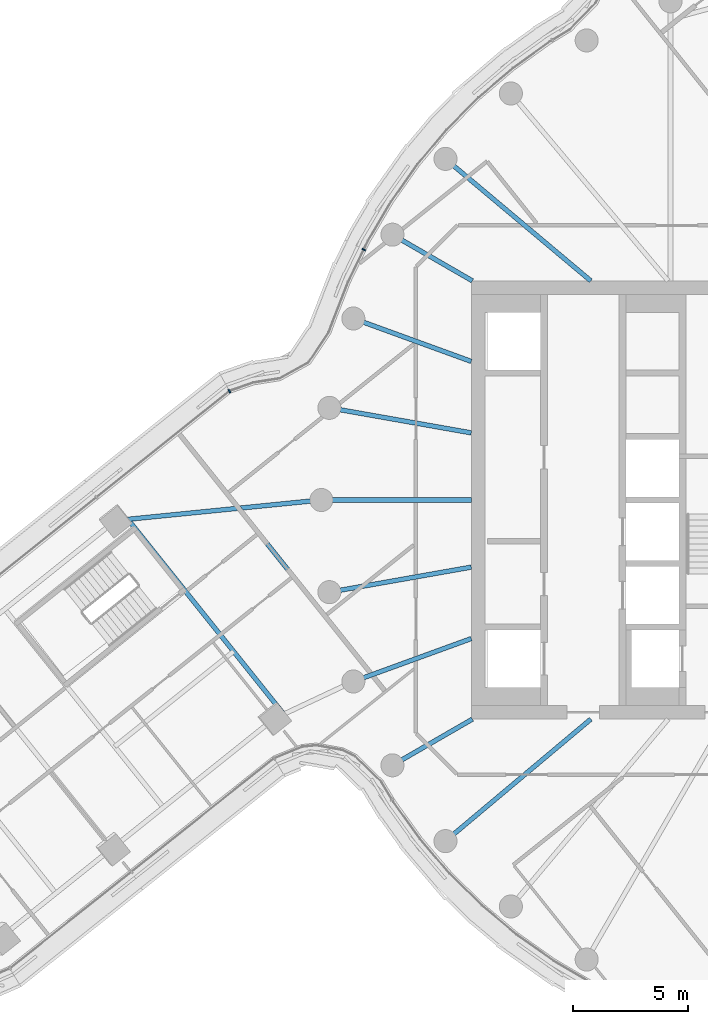
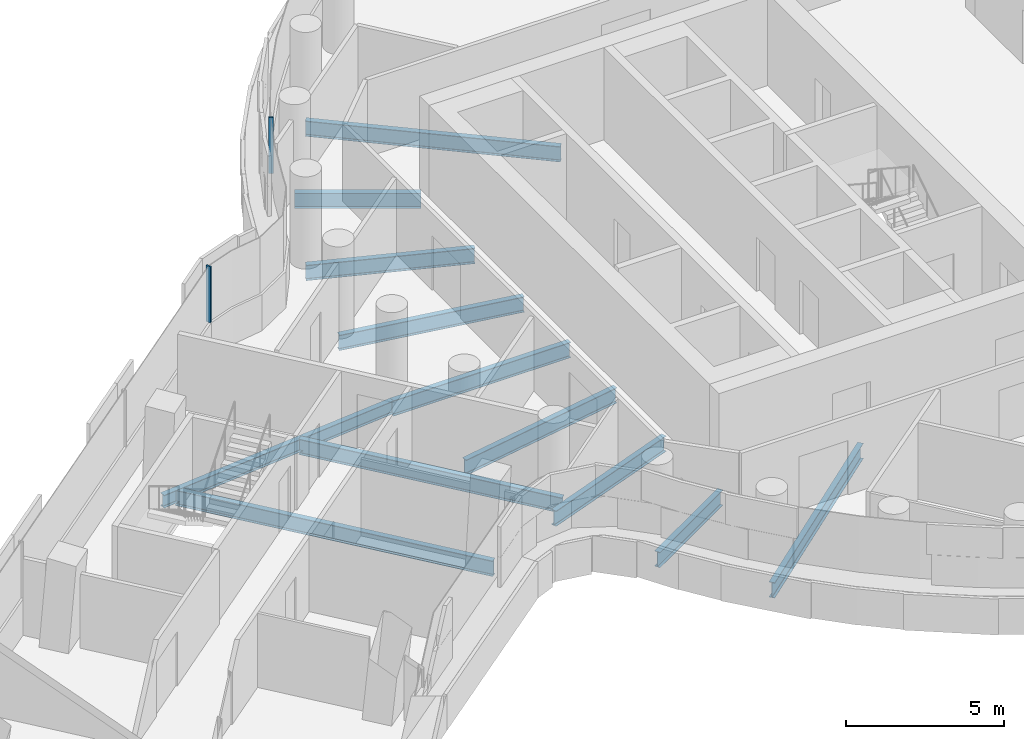
# One storey, part 8 of 31: 12 beams, 2 members, 2 elements without a shape of their own.
"""IFC4 building model written with IfcOpenShell, lengths in metres."""

from ifc_helpers import new_model, si_unit, direction, frame, origin, origin_2d, place, context, subcontext, project, spatial, rectangle, i_section, extrude, material, layer, layer_set, material_profile, profile_set, type_object, element, aggregate, save


model = new_model("IFC4")

# Units and contexts
model_context = context("Model", 3, precision=1e-05, world=origin(), true_north=direction((0.0, 1.0)))
body_context = subcontext(model_context, "Body", "Model", "MODEL_VIEW")
ifc_project = project(units=[si_unit("LENGTHUNIT", "METRE"), si_unit("AREAUNIT", "SQUARE_METRE"), si_unit("VOLUMEUNIT", "CUBIC_METRE"), si_unit("PLANEANGLEUNIT", "RADIAN"), si_unit("MASSUNIT", "GRAM", prefix="KILO")], contexts=[model_context])

# Site, building, storey
site_placement = place(None, origin())
site = spatial("IfcSite", under=ifc_project, at=site_placement, CompositionType="ELEMENT")
building_placement = place(site_placement, origin())
building = spatial("IfcBuilding", under=site, at=building_placement, Name="Tamarind Cross Interchange Tower", CompositionType="ELEMENT")
storey_placement = place(building_placement, frame((0.0, 0.0, 174.25)))
storey = spatial("IfcBuildingStorey", under=building, at=storey_placement, Name="L43", CompositionType="ELEMENT", Elevation=174.25)

# Beams
ifc_material_1 = material(Name="Steel Q355B", Category="steel")
ifc_material_profile_1 = material_profile(ifc_material_1, i_section(OverallWidth=0.198974609375, OverallDepth=0.49609375, WebThickness=0.009033203125, FlangeThickness=0.013916015625, FilletRadius=0.012939453125, at=origin_2d()), Name="HN 496x199x9x14")
ifc_profile_set_1 = profile_set([ifc_material_profile_1], Name="Steel Q355B")
beam_type_1 = type_object("IfcBeamType", Name="Composite beam HN 496x199x9x14 Q355B", PredefinedType="BEAM", material=ifc_profile_set_1)
beam_1_placement = place(storey_placement, frame((-31.9169921875, -0.889892578125, -0.387939453125), z_axis=(0.995057131085, 0.099304108061, 0.0), x_axis=(-0.099304108061, 0.995057131085, 0.0)))
element("IfcBeam", 1, at=beam_1_placement, inside=storey, type_object=beam_type_1, Name="Beam W-linkem", PredefinedType="BEAM", context=body_context, shape_type="SweptSolid", body=[
    extrude(i_section(OverallWidth=0.198974609375, OverallDepth=0.49609375, WebThickness=0.009033203125, FlangeThickness=0.013916015625, FilletRadius=0.012939453125, at=origin_2d()), origin(), (0.0, 0.0, 1.0), 8.961181640625),
])
ifc_material_profile_2 = material_profile(ifc_material_1, i_section(OverallWidth=0.198974609375, OverallDepth=0.595947265625, WebThickness=0.010009765625, FlangeThickness=0.014892578125, FilletRadius=0.012939453125, at=origin_2d()), Name="HN 596x199x10x15")
ifc_profile_set_2 = profile_set([ifc_material_profile_2], Name="Steel Q355B")
beam_type_2 = type_object("IfcBeamType", Name="Composite beam HN 596x199x10x15 Q355B", PredefinedType="BEAM", material=ifc_profile_set_2)
beam_2_placement = place(storey_placement, frame((-17.619140625, 14.7841796875, -0.43798828125), z_axis=(0.766040580814, -0.642792212574, 0.0), x_axis=(0.642792212574, 0.766040580814, 0.0)))
element("IfcBeam", 2, at=beam_2_placement, inside=storey, type_object=beam_type_2, Name="Beam HH14", PredefinedType="BEAM", context=body_context, shape_type="SweptSolid", body=[
    extrude(i_section(OverallWidth=0.198974609375, OverallDepth=0.595947265625, WebThickness=0.010009765625, FlangeThickness=0.014892578125, FilletRadius=0.012939453125, at=origin_2d()), origin(), (0.0, 0.0, 1.0), 8.220703125),
])
beam_3_placement = place(storey_placement, frame((-19.918701171875, 11.5, -0.43798828125), z_axis=(0.866026010844, -0.49999894854, 0.0), x_axis=(0.49999894854, 0.866026010844, 0.0)))
element("IfcBeam", 3, at=beam_3_placement, inside=storey, type_object=beam_type_2, Name="Beam HH15", PredefinedType="BEAM", context=body_context, shape_type="SweptSolid", body=[
    extrude(i_section(OverallWidth=0.198974609375, OverallDepth=0.595947265625, WebThickness=0.010009765625, FlangeThickness=0.014892578125, FilletRadius=0.012939453125, at=origin_2d()), origin(), (0.0, 0.0, 1.0), 4.0),
])
beam_4_placement = place(storey_placement, frame((-21.613037109375, 7.866455078125, -0.43798828125), z_axis=(0.939701685589, -0.341995236956, 0.0), x_axis=(0.341995236956, 0.939701685589, 0.0)))
element("IfcBeam", 4, at=beam_4_placement, inside=storey, type_object=beam_type_2, Name="Beam HH16", PredefinedType="BEAM", context=body_context, shape_type="SweptSolid", body=[
    extrude(i_section(OverallWidth=0.198974609375, OverallDepth=0.595947265625, WebThickness=0.010009765625, FlangeThickness=0.014892578125, FilletRadius=0.012939453125, at=origin_2d()), origin(), (0.0, 0.0, 1.0), 5.441162109375),
])
beam_5_placement = place(storey_placement, frame((-22.650634765625, 3.993896484375, -0.43798828125), z_axis=(0.984809127561, -0.173640382036, 0.0), x_axis=(0.173640382036, 0.984809127561, 0.0)))
element("IfcBeam", 5, at=beam_5_placement, inside=storey, type_object=beam_type_2, Name="Beam HH17", PredefinedType="BEAM", context=body_context, shape_type="SweptSolid", body=[
    extrude(i_section(OverallWidth=0.198974609375, OverallDepth=0.595947265625, WebThickness=0.010009765625, FlangeThickness=0.014892578125, FilletRadius=0.012939453125, at=origin_2d()), origin(), (0.0, 0.0, 1.0), 6.24560546875),
])
beam_6_placement = place(storey_placement, frame((-23.0, 0.0, -0.43798828125), z_axis=(1.0, 0.0, 0.0), x_axis=(0.0, 1.0, 0.0)))
element("IfcBeam", 6, at=beam_6_placement, inside=storey, type_object=beam_type_2, Name="Beam HH18", PredefinedType="BEAM", context=body_context, shape_type="SweptSolid", body=[
    extrude(i_section(OverallWidth=0.198974609375, OverallDepth=0.595947265625, WebThickness=0.010009765625, FlangeThickness=0.014892578125, FilletRadius=0.012939453125, at=origin_2d()), origin(), (0.0, 0.0, 1.0), 6.5),
])
beam_7_placement = place(storey_placement, frame((-22.650634765625, -3.993896484375, -0.43798828125), z_axis=(0.984809127561, 0.173640382036, 0.0), x_axis=(-0.173640382036, 0.984809127561, 0.0)))
element("IfcBeam", 7, at=beam_7_placement, inside=storey, type_object=beam_type_2, Name="Beam HH19", PredefinedType="BEAM", context=body_context, shape_type="SweptSolid", body=[
    extrude(i_section(OverallWidth=0.198974609375, OverallDepth=0.595947265625, WebThickness=0.010009765625, FlangeThickness=0.014892578125, FilletRadius=0.012939453125, at=origin_2d()), origin(), (0.0, 0.0, 1.0), 6.24560546875),
])
beam_8_placement = place(storey_placement, frame((-21.613037109375, -7.866455078125, -0.43798828125), z_axis=(0.939701685589, 0.341995236956, 0.0), x_axis=(-0.341995236956, 0.939701685589, 0.0)))
element("IfcBeam", 8, at=beam_8_placement, inside=storey, type_object=beam_type_2, Name="Beam HH20", PredefinedType="BEAM", context=body_context, shape_type="SweptSolid", body=[
    extrude(i_section(OverallWidth=0.198974609375, OverallDepth=0.595947265625, WebThickness=0.010009765625, FlangeThickness=0.014892578125, FilletRadius=0.012939453125, at=origin_2d()), origin(), (0.0, 0.0, 1.0), 5.441162109375),
])
beam_9_placement = place(storey_placement, frame((-19.918701171875, -11.5, -0.43798828125), z_axis=(0.866026010844, 0.49999894854, 0.0), x_axis=(-0.49999894854, 0.866026010844, 0.0)))
element("IfcBeam", 9, at=beam_9_placement, inside=storey, type_object=beam_type_2, Name="Beam HH21", PredefinedType="BEAM", context=body_context, shape_type="SweptSolid", body=[
    extrude(i_section(OverallWidth=0.198974609375, OverallDepth=0.595947265625, WebThickness=0.010009765625, FlangeThickness=0.014892578125, FilletRadius=0.012939453125, at=origin_2d()), origin(), (0.0, 0.0, 1.0), 4.0),
])
beam_10_placement = place(storey_placement, frame((-17.619140625, -14.7841796875, -0.43798828125), z_axis=(0.766040580814, 0.642792212574, 0.0), x_axis=(-0.642792212574, 0.766040580814, 0.0)))
element("IfcBeam", 10, at=beam_10_placement, inside=storey, type_object=beam_type_2, Name="Beam HH22", PredefinedType="BEAM", context=body_context, shape_type="SweptSolid", body=[
    extrude(i_section(OverallWidth=0.198974609375, OverallDepth=0.595947265625, WebThickness=0.010009765625, FlangeThickness=0.014892578125, FilletRadius=0.012939453125, at=origin_2d()), origin(), (0.0, 0.0, 1.0), 8.220703125),
])
ifc_material_profile_3 = material_profile(ifc_material_1, i_section(OverallWidth=0.199951171875, OverallDepth=0.60009765625, WebThickness=0.010986328125, FlangeThickness=0.01708984375, FilletRadius=0.012939453125, at=origin_2d()), Name="HN 600x200x11x17")
ifc_profile_set_3 = profile_set([ifc_material_profile_3], Name="Steel Q355B")
beam_type_3 = type_object("IfcBeamType", Name="Composite beam HN 600x200x11x17 Q355B", PredefinedType="BEAM", material=ifc_profile_set_3)
beam_11_placement = place(storey_placement, frame((-31.38330078125, -0.836669921875, -0.43994140625), z_axis=(0.624667519897, -0.780890830773, 0.0), x_axis=(0.780890830773, 0.624667519897, 0.0)))
element("IfcBeam", 11, at=beam_11_placement, inside=storey, type_object=beam_type_3, Name="Beam W-x298", PredefinedType="BEAM", context=body_context, shape_type="SweptSolid", body=[
    extrude(i_section(OverallWidth=0.199951171875, OverallDepth=0.60009765625, WebThickness=0.010986328125, FlangeThickness=0.01708984375, FilletRadius=0.012939453125, at=origin_2d()), origin(), (0.0, 0.0, 1.0), 10.81591796875),
])
beam_12_placement = place(storey_placement, frame((-26.580322265625, -0.357177734375, -0.43994140625), z_axis=(0.624665163991, -0.780892715356, 0.0), x_axis=(0.780892715356, 0.624665163991, 0.0)))
element("IfcBeam", 12, at=beam_12_placement, inside=storey, type_object=beam_type_3, Name="Beam W-x258", PredefinedType="BEAM", context=body_context, shape_type="SweptSolid", body=[
    extrude(i_section(OverallWidth=0.199951171875, OverallDepth=0.60009765625, WebThickness=0.010986328125, FlangeThickness=0.01708984375, FilletRadius=0.012939453125, at=origin_2d()), origin(), (0.0, 0.0, 1.0), 8.966796875),
])

# Curtain wall, member
ifc_material_2 = material(Name="Aluminium 6063-T6", Category="aluminium")
ifc_layer = layer(ifc_material_2, 0.159912109375)
ifc_layer_set = layer_set([ifc_layer], Name="Aluminium 6063-T6")
curtain_wall_type = type_object("IfcCurtainWallType", Name="Office curtain wall, 9.0 m bays", PredefinedType="NOTDEFINED", material=ifc_layer_set)
curtain_wall_1_placement = place(storey_placement, origin())
curtain_wall_1 = element("IfcCurtainWall", 13, at=curtain_wall_1_placement, inside=storey, type_object=curtain_wall_type, Name="CWS-L43-14", PredefinedType="NOTDEFINED")
ifc_material_profile_4 = material_profile(ifc_material_2, rectangle(XDim=0.06005859375, YDim=0.159912109375, at=origin_2d()), Name="Mullion CW1")
ifc_profile_set_4 = profile_set([ifc_material_profile_4], Name="Aluminium 6063-T6")
member_type = type_object("IfcMemberType", Name="Mullion CW1", PredefinedType="MULLION", material=ifc_profile_set_4)
member_1_placement = place(storey_placement, frame((-21.161376953125, 10.8525390625, 1.39990234375), z_axis=(0.0, 0.0, 1.0), x_axis=(-0.435326231914, -0.900272776334, 0.0)))
member_1 = element("IfcMember", 14, at=member_1_placement, type_object=member_type, Name="CWM-L43-14-02", PredefinedType="MULLION", context=body_context, shape_type="SweptSolid", body=[
    extrude(rectangle(XDim=0.06005859375, YDim=0.159912109375, at=origin_2d()), origin(), (0.0, 0.0, 1.0), 2.170166015625),
])
aggregate(curtain_wall_1, [member_1])

curtain_wall_2_placement = place(storey_placement, origin())
curtain_wall_2 = element("IfcCurtainWall", 15, at=curtain_wall_2_placement, inside=storey, type_object=curtain_wall_type, Name="CWS-L43-15", PredefinedType="NOTDEFINED")
member_2_placement = place(storey_placement, frame((-26.983154296875, 4.721923828125, 1.39990234375), z_axis=(0.0, 0.0, 1.0), x_axis=(-0.874032356617, -0.485867718197, 0.0)))
member_2 = element("IfcMember", 16, at=member_2_placement, type_object=member_type, Name="CWM-L43-15-00", PredefinedType="MULLION", context=body_context, shape_type="SweptSolid", body=[
    extrude(rectangle(XDim=0.06005859375, YDim=0.159912109375, at=origin_2d()), origin(), (0.0, 0.0, 1.0), 2.170166015625),
])
aggregate(curtain_wall_2, [member_2])

save(model, "model.ifc")
